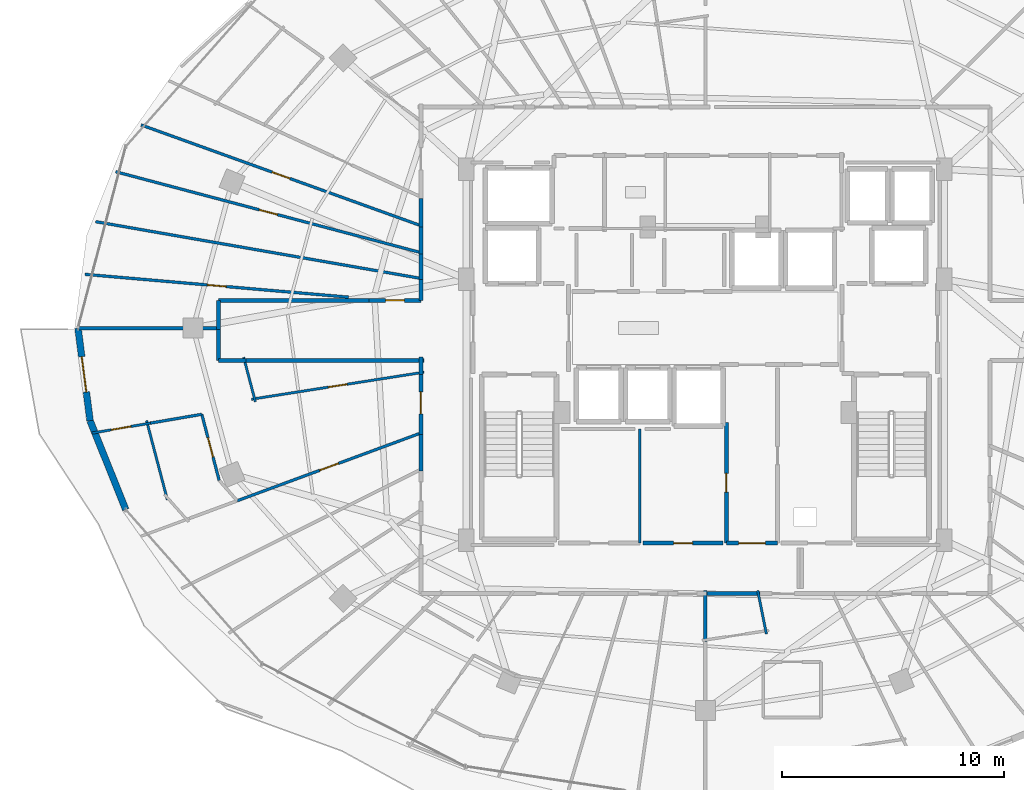
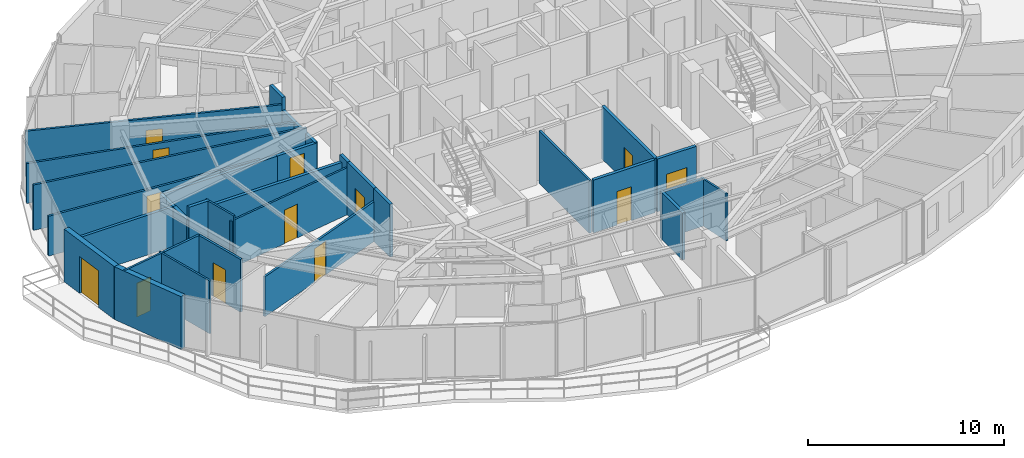
# One storey, part 25 of 33: 34 walls, 13 doors, 13 openings.
"""IFC4 building model written with IfcOpenShell, lengths in metres."""

from ifc_helpers import new_model, si_unit, direction, frame, frame_2d, origin, place, context, subcontext, project, spatial, rectangle, extrude, material, layer, layer_set, type_object, element, fill, save


model = new_model("IFC4")

# Units and contexts
model_context = context("Model", 3, precision=1e-05, world=origin(), true_north=direction((0.0, 1.0)))
body_context = subcontext(model_context, "Body", "Model", "MODEL_VIEW")
ifc_project = project(units=[si_unit("LENGTHUNIT", "METRE"), si_unit("AREAUNIT", "SQUARE_METRE"), si_unit("VOLUMEUNIT", "CUBIC_METRE"), si_unit("PLANEANGLEUNIT", "RADIAN"), si_unit("MASSUNIT", "GRAM", prefix="KILO")], contexts=[model_context])

# Site, building, storey
site_placement = place(None, origin())
site = spatial("IfcSite", under=ifc_project, at=site_placement, CompositionType="ELEMENT")
building_placement = place(site_placement, origin())
building = spatial("IfcBuilding", under=site, at=building_placement, Name="Vorneva Point Tower", CompositionType="ELEMENT")
storey_placement = place(building_placement, frame((0.0, 0.0, 203.64990234375)))
storey = spatial("IfcBuildingStorey", under=building, at=storey_placement, Name="L55", CompositionType="ELEMENT", Elevation=203.64990234375)

# Wall, opening, door
ifc_material_1 = material(Name="Precast concrete B50 (C40/50)", Category="concrete")
ifc_layer_1 = layer(ifc_material_1, 0.300048828125)
ifc_layer_set_1 = layer_set([ifc_layer_1], Name="Precast concrete B50 (C40/50)")
wall_type_1 = type_object("IfcWallType", Name="WL-EXT-300", PredefinedType="STANDARD", material=ifc_layer_set_1)
wall_1_placement = place(storey_placement, frame((9.77001953125, 26.0, 0.0), z_axis=(0.0, 0.0, 1.0), x_axis=(0.129147853268, -0.991625348605, 0.0)))
wall_1 = element("IfcWall", 1, at=wall_1_placement, inside=storey, type_object=wall_type_1, Name="L55 Pale-Metal Facade Spandrel Wall 09.1", PredefinedType="STANDARD", context=body_context, shape_type="SweptSolid", body=[
    extrude(rectangle(XDim=4.200439453125, YDim=0.300048828125, at=frame_2d((2.10009765625, 0.0))), origin(), (0.0, 0.0, 1.0), 3.2900390625),
])
opening_1_placement = place(wall_1_placement, frame((1.30029296875, 0.0, 0.0)))
opening_1 = element("IfcOpeningElement", 2, at=opening_1_placement, cuts=wall_1, Name="Opening BD-01", PredefinedType="OPENING", context=body_context, shape_type="SweptSolid", body=[
    extrude(rectangle(XDim=1.60009765625, YDim=2.300048828125, at=frame_2d((0.800048828125, 1.14990234375))), frame((0.0, 0.1650390625, 0.0), z_axis=(0.0, -1.0, 0.0), x_axis=(1.0, 0.0, 0.0)), (0.0, 0.0, 1.0), 0.329833984375),
])
ifc_material_2 = material(Name="Pale anodised aluminium", Category="aluminium")
door_type_1 = type_object("IfcDoorType", Name="DR-BAL-1600", OperationType="SLIDING_TO_LEFT", PredefinedType="DOOR", material=ifc_material_2)
door_1_placement = place(opening_1_placement, origin())
door_1 = element("IfcDoor", 3, at=door_1_placement, inside=storey, type_object=door_type_1, Name="L55 Balcony Terrace Access Door 09", OperationType="SLIDING_TO_LEFT", OverallHeight=2.300048828125, OverallWidth=1.60009765625, PredefinedType="DOOR", context=body_context, shape_type="SweptSolid", body=[
    extrude(rectangle(XDim=1.60009765625, YDim=2.300048828125, at=frame_2d((0.800048828125, 1.14990234375))), frame((0.0, 0.02490234375, 0.0), z_axis=(0.0, -1.0, 0.0), x_axis=(1.0, 0.0, 0.0)), (0.0, 0.0, 1.0), 0.050048828125),
])
fill(opening_1, door_1)

# Wall
wall_2_placement = place(storey_placement, frame((10.3125, 21.834716796875, 0.0), z_axis=(0.0, 0.0, 1.0), x_axis=(0.372268409848, -0.928125116043, 0.0)))
element("IfcWall", 4, at=wall_2_placement, inside=storey, type_object=wall_type_1, Name="L55 Pale-Metal Facade Spandrel Wall 09.2", PredefinedType="STANDARD", context=body_context, shape_type="SweptSolid", body=[
    extrude(rectangle(XDim=4.315185546875, YDim=0.300048828125, at=frame_2d((2.15771484375, 0.0))), origin(), (0.0, 0.0, 1.0), 3.2900390625),
])

# Wall, opening, door
ifc_material_3 = material(Name="Fire-rated acoustic gypsum stud partition", Category="gypsum")
ifc_layer_2 = layer(ifc_material_3, 0.110107421875)
ifc_layer_set_2 = layer_set([ifc_layer_2], Name="Fire-rated acoustic gypsum stud partition")
wall_type_2 = type_object("IfcWallType", Name="WL-PART-110", PredefinedType="PARTITIONING", material=ifc_layer_set_2)
wall_3_placement = place(storey_placement, frame((25.33837890625, 24.0146484375, 0.0), z_axis=(0.0, 0.0, 1.0), x_axis=(-0.987940229144, -0.154835731144, 0.0)))
wall_3 = element("IfcWall", 5, at=wall_3_placement, inside=storey, type_object=wall_type_2, Name="L55 Interior Partition 102", PredefinedType="PARTITIONING", context=body_context, shape_type="SweptSolid", body=[
    extrude(rectangle(XDim=7.85546875, YDim=0.110107421875, at=frame_2d((3.927734375, 0.0))), origin(), (0.0, 0.0, 1.0), 2.93603515625),
])
opening_2_placement = place(wall_3_placement, frame((3.502685546875, 0.0, 0.0)))
opening_2 = element("IfcOpeningElement", 6, at=opening_2_placement, cuts=wall_3, Name="Opening ID-02", PredefinedType="OPENING", context=body_context, shape_type="SweptSolid", body=[
    extrude(rectangle(XDim=0.85009765625, YDim=2.10009765625, at=frame_2d((0.425048828125, 1.050048828125))), frame((0.0, 0.06982421875, 0.0), z_axis=(0.0, -1.0, 0.0), x_axis=(1.0, 0.0, 0.0)), (0.0, 0.0, 1.0), 0.139892578125),
])
ifc_material_4 = material(Name="Engineered oak fire-rated door leaf", Category="wood")
door_type_2 = type_object("IfcDoorType", Name="DR-BATH-850", OperationType="NOTDEFINED", PredefinedType="DOOR", material=ifc_material_4)
door_2_placement = place(opening_2_placement, origin())
door_2 = element("IfcDoor", 7, at=door_2_placement, inside=storey, type_object=door_type_2, Name="L55 Door Living and Dining Room L55-03 / Bathroom L55-03", OperationType="SINGLE_SWING_RIGHT", OverallHeight=2.10009765625, OverallWidth=0.85009765625, PredefinedType="DOOR", context=body_context, shape_type="SweptSolid", body=[
    extrude(rectangle(XDim=0.85009765625, YDim=2.10009765625, at=frame_2d((0.425048828125, 1.050048828125))), frame((0.0, 0.02490234375, 0.0), z_axis=(0.0, -1.0, 0.0), x_axis=(1.0, 0.0, 0.0)), (0.0, 0.0, 1.0), 0.050048828125),
])
fill(opening_2, door_2)

# Wall
wall_4_placement = place(storey_placement, frame((17.751708984375, 22.6845703125, 0.0), z_axis=(0.0, 0.0, 1.0), x_axis=(-0.254429402158, 0.967091350038, 0.0)))
element("IfcWall", 8, at=wall_4_placement, inside=storey, type_object=wall_type_2, Name="L55 Interior Partition 103", PredefinedType="PARTITIONING", context=body_context, shape_type="SweptSolid", body=[
    extrude(rectangle(XDim=2.06884765625, YDim=0.110107421875, at=frame_2d((1.034423828125, 0.0))), origin(), (0.0, 0.0, 1.0), 3.2900390625),
])

# Wall, opening, door
wall_5_placement = place(storey_placement, frame((10.39404296875, 21.271484375, 0.0), z_axis=(0.0, 0.0, 1.0), x_axis=(0.985656128296, 0.168766100722, 0.0)))
wall_5 = element("IfcWall", 9, at=wall_5_placement, inside=storey, type_object=wall_type_2, Name="L55 Interior Partition 104", PredefinedType="PARTITIONING", context=body_context, shape_type="SweptSolid", body=[
    extrude(rectangle(XDim=2.67333984375, YDim=0.110107421875, at=frame_2d((1.336669921875, 0.0))), origin(), (0.0, 0.0, 1.0), 3.2900390625),
])
opening_3_placement = place(wall_5_placement, frame((0.88671875, 0.0, 0.0)))
opening_3 = element("IfcOpeningElement", 10, at=opening_3_placement, cuts=wall_5, Name="Opening ID-01", PredefinedType="OPENING", context=body_context, shape_type="SweptSolid", body=[
    extrude(rectangle(XDim=0.89990234375, YDim=2.10009765625, at=frame_2d((0.449951171875, 1.050048828125))), frame((0.0, 0.06982421875, 0.0), z_axis=(0.0, -1.0, 0.0), x_axis=(1.0, 0.0, 0.0)), (0.0, 0.0, 1.0), 0.139892578125),
])
door_type_3 = type_object("IfcDoorType", Name="DR-ROOM-900", OperationType="NOTDEFINED", PredefinedType="DOOR", material=ifc_material_4)
door_3_placement = place(opening_3_placement, origin())
door_3 = element("IfcDoor", 11, at=door_3_placement, inside=storey, type_object=door_type_3, Name="L55 Door Living and Dining Room L55-03 / Kitchen L55-03", OperationType="SINGLE_SWING_LEFT", OverallHeight=2.10009765625, OverallWidth=0.89990234375, PredefinedType="DOOR", context=body_context, shape_type="SweptSolid", body=[
    extrude(rectangle(XDim=0.89990234375, YDim=2.10009765625, at=frame_2d((0.449951171875, 1.050048828125))), frame((0.0, 0.02490234375, 0.0), z_axis=(0.0, -1.0, 0.0), x_axis=(1.0, 0.0, 0.0)), (0.0, 0.0, 1.0), 0.050048828125),
])
fill(opening_3, door_3)

# Walls
wall_6_placement = place(storey_placement, frame((13.79248046875, 18.2705078125, 0.0), z_axis=(0.0, 0.0, 1.0), x_axis=(-0.254271540361, 0.967132867688, 0.0)))
element("IfcWall", 12, at=wall_6_placement, inside=storey, type_object=wall_type_2, Name="L55 Interior Partition 110", PredefinedType="PARTITIONING", context=body_context, shape_type="SweptSolid", body=[
    extrude(rectangle(XDim=3.68505859375, YDim=0.110107421875, at=frame_2d((1.842529296875, 0.0))), origin(), (0.0, 0.0, 1.0), 3.2900390625),
])
wall_7_placement = place(storey_placement, frame((40.357666015625, 14.187255859375, 0.0), z_axis=(0.0, 0.0, 1.0), x_axis=(0.195313900905, -0.980740781304, 0.0)))
element("IfcWall", 13, at=wall_7_placement, inside=storey, type_object=wall_type_2, Name="L55 Interior Partition 134", PredefinedType="PARTITIONING", context=body_context, shape_type="SweptSolid", body=[
    extrude(rectangle(XDim=1.989990234375, YDim=0.110107421875, at=frame_2d((0.9951171875, 0.0))), origin(), (0.0, 0.0, 1.0), 2.93603515625),
])
ifc_layer_3 = layer(ifc_material_3, 0.125)
ifc_layer_set_3 = layer_set([ifc_layer_3], Name="Fire-rated acoustic gypsum stud partition")
wall_type_3 = type_object("IfcWallType", Name="WL-PART-125", PredefinedType="PARTITIONING", material=ifc_layer_set_3)
wall_8_placement = place(storey_placement, frame((35.050048828125, 16.320068359375, 0.0), z_axis=(0.0, 0.0, 1.0), x_axis=(0.0, 1.0, 0.0)))
element("IfcWall", 14, at=wall_8_placement, inside=storey, type_object=wall_type_3, Name="L55 Interior Partition 026", PredefinedType="PARTITIONING", context=body_context, shape_type="SweptSolid", body=[
    extrude(rectangle(XDim=5.1298828125, YDim=0.125, at=frame_2d((2.56494140625, 0.0))), origin(), (0.0, 0.0, 1.0), 3.2900390625),
])

# Wall, opening, door
wall_9_placement = place(storey_placement, frame((12.60888671875, 35.14111328125, 0.0), z_axis=(0.0, 0.0, 1.0), x_axis=(0.940877411069, -0.338747246985, 0.0)))
wall_9 = element("IfcWall", 15, at=wall_9_placement, inside=storey, type_object=wall_type_3, Name="L55 Interior Partition 097", PredefinedType="PARTITIONING", context=body_context, shape_type="SweptSolid", body=[
    extrude(rectangle(XDim=13.38232421875, YDim=0.125, at=frame_2d((6.691162109375, 0.0))), origin(), (0.0, 0.0, 1.0), 2.82421875),
])
opening_4_placement = place(wall_9_placement, frame((6.26611328125, 0.0, 0.0)))
opening_4 = element("IfcOpeningElement", 16, at=opening_4_placement, cuts=wall_9, Name="Opening ID-02", PredefinedType="OPENING", context=body_context, shape_type="SweptSolid", body=[
    extrude(rectangle(XDim=0.85009765625, YDim=2.10009765625, at=frame_2d((0.425048828125, 1.050048828125))), frame((0.0, 0.077392578125, 0.0), z_axis=(0.0, -1.0, 0.0), x_axis=(1.0, 0.0, 0.0)), (0.0, 0.0, 1.0), 0.15478515625),
])
door_4_placement = place(opening_4_placement, origin())
door_4 = element("IfcDoor", 17, at=door_4_placement, inside=storey, type_object=door_type_2, Name="L55 Access Door Master Bedroom L55-02.1", OperationType="SINGLE_SWING_RIGHT", OverallHeight=2.10009765625, OverallWidth=0.85009765625, PredefinedType="DOOR", context=body_context, shape_type="SweptSolid", body=[
    extrude(rectangle(XDim=0.85009765625, YDim=2.10009765625, at=frame_2d((0.425048828125, 1.050048828125))), frame((0.0, 0.02490234375, 0.0), z_axis=(0.0, -1.0, 0.0), x_axis=(1.0, 0.0, 0.0)), (0.0, 0.0, 1.0), 0.050048828125),
])
fill(opening_4, door_4)

wall_10_placement = place(storey_placement, frame((11.465087890625, 33.035888671875, 0.0), z_axis=(0.0, 0.0, 1.0), x_axis=(0.966598137313, -0.256296782934, 0.0)))
wall_10 = element("IfcWall", 18, at=wall_10_placement, inside=storey, type_object=wall_type_3, Name="L55 Interior Partition 098", PredefinedType="PARTITIONING", context=body_context, shape_type="SweptSolid", body=[
    extrude(rectangle(XDim=14.20947265625, YDim=0.125, at=frame_2d((7.104736328125, 0.0))), origin(), (0.0, 0.0, 1.0), 2.482177734375),
])
opening_5_placement = place(wall_10_placement, frame((6.6796875, 0.0, 0.0)))
opening_5 = element("IfcOpeningElement", 19, at=opening_5_placement, cuts=wall_10, Name="Opening ID-02", PredefinedType="OPENING", context=body_context, shape_type="SweptSolid", body=[
    extrude(rectangle(XDim=0.85009765625, YDim=2.10009765625, at=frame_2d((0.425048828125, 1.050048828125))), frame((0.0, 0.077392578125, 0.0), z_axis=(0.0, -1.0, 0.0), x_axis=(1.0, 0.0, 0.0)), (0.0, 0.0, 1.0), 0.15478515625),
])
door_5_placement = place(opening_5_placement, origin())
door_5 = element("IfcDoor", 20, at=door_5_placement, inside=storey, type_object=door_type_2, Name="L55 Access Door Bedroom L55-02.2", OperationType="SINGLE_SWING_LEFT", OverallHeight=2.10009765625, OverallWidth=0.85009765625, PredefinedType="DOOR", context=body_context, shape_type="SweptSolid", body=[
    extrude(rectangle(XDim=0.85009765625, YDim=2.10009765625, at=frame_2d((0.425048828125, 1.050048828125))), frame((0.0, 0.02490234375, 0.0), z_axis=(0.0, -1.0, 0.0), x_axis=(1.0, 0.0, 0.0)), (0.0, 0.0, 1.0), 0.050048828125),
])
fill(opening_5, door_5)

# Wall
wall_11_placement = place(storey_placement, frame((10.56494140625, 30.7880859375, 0.0), z_axis=(0.0, 0.0, 1.0), x_axis=(0.985109541297, -0.171927867563, 0.0)))
element("IfcWall", 21, at=wall_11_placement, inside=storey, type_object=wall_type_3, Name="L55 Interior Partition 099", PredefinedType="PARTITIONING", context=body_context, shape_type="SweptSolid", body=[
    extrude(rectangle(XDim=14.856201171875, YDim=0.125, at=frame_2d((7.42822265625, 0.0))), origin(), (0.0, 0.0, 1.0), 2.82421875),
])

# Wall, opening, door
wall_12_placement = place(storey_placement, frame((10.0859375, 28.41796875, 0.0), z_axis=(0.0, 0.0, 1.0), x_axis=(0.996267232338, -0.08632266081, 0.0)))
wall_12 = element("IfcWall", 22, at=wall_12_placement, inside=storey, type_object=wall_type_3, Name="L55 Interior Partition 100", PredefinedType="PARTITIONING", context=body_context, shape_type="SweptSolid", body=[
    extrude(rectangle(XDim=11.90966796875, YDim=0.125, at=frame_2d((5.954833984375, 0.0))), origin(), (0.0, 0.0, 1.0), 2.482177734375),
])
opening_6_placement = place(wall_12_placement, frame((5.52978515625, 0.0, 0.0)))
opening_6 = element("IfcOpeningElement", 23, at=opening_6_placement, cuts=wall_12, Name="Opening ID-02", PredefinedType="OPENING", context=body_context, shape_type="SweptSolid", body=[
    extrude(rectangle(XDim=0.85009765625, YDim=2.10009765625, at=frame_2d((0.425048828125, 1.050048828125))), frame((0.0, 0.077392578125, 0.0), z_axis=(0.0, -1.0, 0.0), x_axis=(1.0, 0.0, 0.0)), (0.0, 0.0, 1.0), 0.15478515625),
])
door_6_placement = place(opening_6_placement, origin())
door_6 = element("IfcDoor", 24, at=door_6_placement, inside=storey, type_object=door_type_2, Name="L55 Access Door Bedroom L55-02.4", OperationType="SINGLE_SWING_RIGHT", OverallHeight=2.10009765625, OverallWidth=0.85009765625, PredefinedType="DOOR", context=body_context, shape_type="SweptSolid", body=[
    extrude(rectangle(XDim=0.85009765625, YDim=2.10009765625, at=frame_2d((0.425048828125, 1.050048828125))), frame((0.0, 0.02490234375, 0.0), z_axis=(0.0, -1.0, 0.0), x_axis=(1.0, 0.0, 0.0)), (0.0, 0.0, 1.0), 0.050048828125),
])
fill(opening_6, door_6)

wall_13_placement = place(storey_placement, frame((15.341064453125, 22.118896484375, 0.0), z_axis=(0.0, 0.0, 1.0), x_axis=(0.254462015144, -0.967082769389, 0.0)))
wall_13 = element("IfcWall", 25, at=wall_13_placement, inside=storey, type_object=wall_type_3, Name="L55 Interior Partition 105", PredefinedType="PARTITIONING", context=body_context, shape_type="SweptSolid", body=[
    extrude(rectangle(XDim=3.072998046875, YDim=0.125, at=frame_2d((1.53662109375, 0.0))), origin(), (0.0, 0.0, 1.0), 3.2900390625),
])
opening_7_placement = place(wall_13_placement, frame((1.086669921875, 0.0, 0.0)))
opening_7 = element("IfcOpeningElement", 26, at=opening_7_placement, cuts=wall_13, Name="Opening ID-01", PredefinedType="OPENING", context=body_context, shape_type="SweptSolid", body=[
    extrude(rectangle(XDim=0.89990234375, YDim=2.10009765625, at=frame_2d((0.449951171875, 1.050048828125))), frame((0.0, 0.077392578125, 0.0), z_axis=(0.0, -1.0, 0.0), x_axis=(1.0, 0.0, 0.0)), (0.0, 0.0, 1.0), 0.15478515625),
])
door_7_placement = place(opening_7_placement, origin())
door_7 = element("IfcDoor", 27, at=door_7_placement, inside=storey, type_object=door_type_3, Name="L55 Door Living and Dining Room L55-03 / Study Room L55-03", OperationType="SINGLE_SWING_LEFT", OverallHeight=2.10009765625, OverallWidth=0.89990234375, PredefinedType="DOOR", context=body_context, shape_type="SweptSolid", body=[
    extrude(rectangle(XDim=0.89990234375, YDim=2.10009765625, at=frame_2d((0.449951171875, 1.050048828125))), frame((0.0, 0.02490234375, 0.0), z_axis=(0.0, -1.0, 0.0), x_axis=(1.0, 0.0, 0.0)), (0.0, 0.0, 1.0), 0.050048828125),
])
fill(opening_7, door_7)

# Wall
wall_14_placement = place(storey_placement, frame((13.029052734375, 21.72265625, 0.0), z_axis=(0.0, 0.0, 1.0), x_axis=(0.985629682191, 0.16892048302, 0.0)))
element("IfcWall", 28, at=wall_14_placement, inside=storey, type_object=wall_type_3, Name="L55 Interior Partition 107", PredefinedType="PARTITIONING", context=body_context, shape_type="SweptSolid", body=[
    extrude(rectangle(XDim=2.345703125, YDim=0.125, at=frame_2d((1.1728515625, 0.0))), origin(), (0.0, 0.0, 1.0), 3.2900390625),
])

# Wall, opening, door
wall_15_placement = place(storey_placement, frame((16.93408203125, 18.22802734375, 0.0), z_axis=(0.0, 0.0, 1.0), x_axis=(0.938168899516, 0.34617786755, 0.0)))
wall_15 = element("IfcWall", 29, at=wall_15_placement, inside=storey, type_object=wall_type_3, Name="L55 Interior Partition 108", PredefinedType="PARTITIONING", context=body_context, shape_type="SweptSolid", body=[
    extrude(rectangle(XDim=8.810546875, YDim=0.125, at=frame_2d((4.4052734375, 0.0))), origin(), (0.0, 0.0, 1.0), 2.482177734375),
])
opening_8_placement = place(wall_15_placement, frame((3.955322265625, 0.0, 0.0)))
opening_8 = element("IfcOpeningElement", 30, at=opening_8_placement, cuts=wall_15, Name="Opening ID-01", PredefinedType="OPENING", context=body_context, shape_type="SweptSolid", body=[
    extrude(rectangle(XDim=0.89990234375, YDim=2.10009765625, at=frame_2d((0.449951171875, 1.050048828125))), frame((0.0, 0.077392578125, 0.0), z_axis=(0.0, -1.0, 0.0), x_axis=(1.0, 0.0, 0.0)), (0.0, 0.0, 1.0), 0.15478515625),
])
door_8_placement = place(opening_8_placement, origin())
door_8 = element("IfcDoor", 31, at=door_8_placement, inside=storey, type_object=door_type_3, Name="L55 Door Living and Dining Room L55-03 / Master Bedroom L55-03.1", OperationType="SINGLE_SWING_LEFT", OverallHeight=2.10009765625, OverallWidth=0.89990234375, PredefinedType="DOOR", context=body_context, shape_type="SweptSolid", body=[
    extrude(rectangle(XDim=0.89990234375, YDim=2.10009765625, at=frame_2d((0.449951171875, 1.050048828125))), frame((0.0, 0.02490234375, 0.0), z_axis=(0.0, -1.0, 0.0), x_axis=(1.0, 0.0, 0.0)), (0.0, 0.0, 1.0), 0.050048828125),
])
fill(opening_8, door_8)

# Walls
ifc_layer_4 = layer(ifc_material_3, 0.159912109375)
ifc_layer_set_4 = layer_set([ifc_layer_4], Name="Fire-rated acoustic gypsum stud partition")
wall_type_4 = type_object("IfcWallType", Name="WL-PART-160", PredefinedType="PARTITIONING", material=ifc_layer_set_4)
wall_16_placement = place(storey_placement, frame((9.77099609375, 26.0, 0.0), z_axis=(0.0, 0.0, 1.0), x_axis=(1.0, 0.0, 0.0)))
element("IfcWall", 32, at=wall_16_placement, inside=storey, type_object=wall_type_4, Name="L55 Interior Partition 101", PredefinedType="PARTITIONING", context=body_context, shape_type="SweptSolid", body=[
    extrude(rectangle(XDim=6.3291015625, YDim=0.159912109375, at=frame_2d((3.16455078125, 0.0))), origin(), (0.0, 0.0, 1.0), 2.482177734375),
])
wall_17_placement = place(storey_placement, frame((38.0, 11.885009765625, 0.0), z_axis=(0.0, 0.0, 1.0), x_axis=(0.0, 1.0, 0.0)))
element("IfcWall", 33, at=wall_17_placement, inside=storey, type_object=wall_type_4, Name="L55 Interior Partition 133", PredefinedType="PARTITIONING", context=body_context, shape_type="SweptSolid", body=[
    extrude(rectangle(XDim=2.304931640625, YDim=0.159912109375, at=frame_2d((1.15234375, 0.0))), origin(), (0.0, 0.0, 1.0), 2.93603515625),
])

# Wall, opening, door
ifc_material_5 = material(Name="Autoclaved aerated concrete blockwork", Category="masonry")
ifc_layer_5 = layer(ifc_material_5, 0.179931640625)
ifc_layer_set_5 = layer_set([ifc_layer_5], Name="Autoclaved aerated concrete blockwork")
wall_type_5 = type_object("IfcWallType", Name="WL-PART-180", PredefinedType="PARTITIONING", material=ifc_layer_set_5)
wall_18_placement = place(storey_placement, frame((38.949951171875, 21.7548828125, 0.0), z_axis=(0.0, 0.0, 1.0), x_axis=(0.0, -1.0, 0.0)))
wall_18 = element("IfcWall", 34, at=wall_18_placement, inside=storey, type_object=wall_type_5, Name="L55 Interior Partition 015", PredefinedType="PARTITIONING", context=body_context, shape_type="SweptSolid", body=[
    extrude(rectangle(XDim=5.434814453125, YDim=0.179931640625, at=frame_2d((2.71728515625, 0.0))), origin(), (0.0, 0.0, 1.0), 3.2900390625),
])
opening_9_placement = place(wall_18_placement, frame((2.29248046875, 0.0, 0.0)))
opening_9 = element("IfcOpeningElement", 35, at=opening_9_placement, cuts=wall_18, Name="Opening ID-02", PredefinedType="OPENING", context=body_context, shape_type="SweptSolid", body=[
    extrude(rectangle(XDim=0.85009765625, YDim=2.10009765625, at=frame_2d((0.425048828125, 1.050048828125))), frame((0.0, 0.10498046875, 0.0), z_axis=(0.0, -1.0, 0.0), x_axis=(1.0, 0.0, 0.0)), (0.0, 0.0, 1.0), 0.209716796875),
])
door_9_placement = place(opening_9_placement, origin())
door_9 = element("IfcDoor", 36, at=door_9_placement, inside=storey, type_object=door_type_2, Name="L55 Door Core Service Lobby / Tenant Equipment Store", OperationType="SINGLE_SWING_LEFT", OverallHeight=2.10009765625, OverallWidth=0.85009765625, PredefinedType="DOOR", context=body_context, shape_type="SweptSolid", body=[
    extrude(rectangle(XDim=0.85009765625, YDim=2.10009765625, at=frame_2d((0.425048828125, 1.050048828125))), frame((0.0, 0.02490234375, 0.0), z_axis=(0.0, -1.0, 0.0), x_axis=(1.0, 0.0, 0.0)), (0.0, 0.0, 1.0), 0.050048828125),
])
fill(opening_9, door_9)

wall_19_placement = place(storey_placement, frame((38.949951171875, 16.320068359375, 0.0), z_axis=(0.0, 0.0, 1.0), x_axis=(1.0, 0.0, 0.0)))
wall_19 = element("IfcWall", 37, at=wall_19_placement, inside=storey, type_object=wall_type_5, Name="L55 Interior Partition 016", PredefinedType="PARTITIONING", context=body_context, shape_type="SweptSolid", body=[
    extrude(rectangle(XDim=2.300048828125, YDim=0.179931640625, at=frame_2d((1.14990234375, 0.0))), origin(), (0.0, 0.0, 1.0), 3.2900390625),
])
opening_10_placement = place(wall_19_placement, frame((0.550048828125, 0.0, 0.0)))
opening_10 = element("IfcOpeningElement", 38, at=opening_10_placement, cuts=wall_19, Name="Opening FD-02", PredefinedType="OPENING", context=body_context, shape_type="SweptSolid", body=[
    extrude(rectangle(XDim=1.199951171875, YDim=2.14990234375, at=frame_2d((0.60009765625, 1.074951171875))), frame((0.0, 0.10498046875, 0.0), z_axis=(0.0, -1.0, 0.0), x_axis=(1.0, 0.0, 0.0)), (0.0, 0.0, 1.0), 0.209716796875),
])
ifc_material_6 = material(Name="Fire-rated powder-coated steel", Category="steel")
door_type_4 = type_object("IfcDoorType", Name="DR-FFL-1200", OperationType="NOTDEFINED", PredefinedType="DOOR", material=ifc_material_6)
door_10_placement = place(opening_10_placement, origin())
door_10 = element("IfcDoor", 39, at=door_10_placement, inside=storey, type_object=door_type_4, Name="L55 Door Core Service Lobby / L55 Circulation Corridor", OperationType="SINGLE_SWING_RIGHT", OverallHeight=2.14990234375, OverallWidth=1.199951171875, PredefinedType="DOOR", context=body_context, shape_type="SweptSolid", body=[
    extrude(rectangle(XDim=1.199951171875, YDim=2.14990234375, at=frame_2d((0.60009765625, 1.074951171875))), frame((0.0, 0.02490234375, 0.0), z_axis=(0.0, -1.0, 0.0), x_axis=(1.0, 0.0, 0.0)), (0.0, 0.0, 1.0), 0.050048828125),
])
fill(opening_10, door_10)

wall_20_placement = place(storey_placement, frame((35.199951171875, 16.320068359375, 0.0), z_axis=(0.0, 0.0, 1.0), x_axis=(1.0, 0.0, 0.0)))
wall_20 = element("IfcWall", 40, at=wall_20_placement, inside=storey, type_object=wall_type_5, Name="L55 Interior Partition 028", PredefinedType="PARTITIONING", context=body_context, shape_type="SweptSolid", body=[
    extrude(rectangle(XDim=3.60009765625, YDim=0.179931640625, at=frame_2d((1.800048828125, 0.0))), origin(), (0.0, 0.0, 1.0), 3.2900390625),
])
opening_11_placement = place(wall_20_placement, frame((1.375, 0.0, 0.0)))
opening_11 = element("IfcOpeningElement", 41, at=opening_11_placement, cuts=wall_20, Name="Opening ID-02", PredefinedType="OPENING", context=body_context, shape_type="SweptSolid", body=[
    extrude(rectangle(XDim=0.85009765625, YDim=2.10009765625, at=frame_2d((0.425048828125, 1.050048828125))), frame((0.0, 0.10498046875, 0.0), z_axis=(0.0, -1.0, 0.0), x_axis=(1.0, 0.0, 0.0)), (0.0, 0.0, 1.0), 0.209716796875),
])
door_11_placement = place(opening_11_placement, origin())
door_11 = element("IfcDoor", 42, at=door_11_placement, inside=storey, type_object=door_type_2, Name="L55 Door Tenant Equipment Store / L55 Circulation Corridor", OperationType="SINGLE_SWING_RIGHT", OverallHeight=2.10009765625, OverallWidth=0.85009765625, PredefinedType="DOOR", context=body_context, shape_type="SweptSolid", body=[
    extrude(rectangle(XDim=0.85009765625, YDim=2.10009765625, at=frame_2d((0.425048828125, 1.050048828125))), frame((0.0, 0.02490234375, 0.0), z_axis=(0.0, -1.0, 0.0), x_axis=(1.0, 0.0, 0.0)), (0.0, 0.0, 1.0), 0.050048828125),
])
fill(opening_11, door_11)

# Walls
wall_21_placement = place(storey_placement, frame((25.199951171875, 31.841064453125, 0.0), z_axis=(0.0, 0.0, 1.0), x_axis=(0.0, -1.0, 0.0)))
element("IfcWall", 43, at=wall_21_placement, inside=storey, type_object=wall_type_5, Name="L55 Interior Partition 038", PredefinedType="PARTITIONING", context=body_context, shape_type="SweptSolid", body=[
    extrude(rectangle(XDim=1.29296875, YDim=0.179931640625, at=frame_2d((0.646484375, 0.0))), origin(), (0.0, 0.0, 1.0), 3.2900390625),
])
wall_22_placement = place(storey_placement, frame((25.199951171875, 30.548095703125, 0.0), z_axis=(0.0, 0.0, 1.0), x_axis=(0.0, -1.0, 0.0)))
element("IfcWall", 44, at=wall_22_placement, inside=storey, type_object=wall_type_5, Name="L55 Interior Partition 039", PredefinedType="PARTITIONING", context=body_context, shape_type="SweptSolid", body=[
    extrude(rectangle(XDim=1.214111328125, YDim=0.179931640625, at=frame_2d((0.60693359375, 0.0))), origin(), (0.0, 0.0, 1.0), 2.482177734375),
])
wall_23_placement = place(storey_placement, frame((25.199951171875, 29.333984375, 0.0), z_axis=(0.0, 0.0, 1.0), x_axis=(0.0, -1.0, 0.0)))
element("IfcWall", 45, at=wall_23_placement, inside=storey, type_object=wall_type_5, Name="L55 Interior Partition 040", PredefinedType="PARTITIONING", context=body_context, shape_type="SweptSolid", body=[
    extrude(rectangle(XDim=1.159912109375, YDim=0.179931640625, at=frame_2d((0.580078125, 0.0))), origin(), (0.0, 0.0, 1.0), 2.482177734375),
])
wall_24_placement = place(storey_placement, frame((25.199951171875, 28.174072265625, 0.0), z_axis=(0.0, 0.0, 1.0), x_axis=(0.0, -1.0, 0.0)))
element("IfcWall", 46, at=wall_24_placement, inside=storey, type_object=wall_type_5, Name="L55 Interior Partition 041", PredefinedType="PARTITIONING", context=body_context, shape_type="SweptSolid", body=[
    extrude(rectangle(XDim=0.924072265625, YDim=0.179931640625, at=frame_2d((0.4619140625, 0.0))), origin(), (0.0, 0.0, 1.0), 2.482177734375),
])

# Wall, opening, door
wall_25_placement = place(storey_placement, frame((25.199951171875, 27.25, 0.0), z_axis=(0.0, 0.0, 1.0), x_axis=(-1.0, 0.0, 0.0)))
wall_25 = element("IfcWall", 47, at=wall_25_placement, inside=storey, type_object=wall_type_5, Name="L55 Interior Partition 042", PredefinedType="PARTITIONING", context=body_context, shape_type="SweptSolid", body=[
    extrude(rectangle(XDim=2.327880859375, YDim=0.179931640625, at=frame_2d((1.1640625, 0.0))), origin(), (0.0, 0.0, 1.0), 2.482177734375),
])
opening_12_placement = place(wall_25_placement, frame((0.739013671875, 0.0, 0.0)))
opening_12 = element("IfcOpeningElement", 48, at=opening_12_placement, cuts=wall_25, Name="Opening ID-02", PredefinedType="OPENING", context=body_context, shape_type="SweptSolid", body=[
    extrude(rectangle(XDim=0.85009765625, YDim=2.10009765625, at=frame_2d((0.425048828125, 1.050048828125))), frame((0.0, 0.10498046875, 0.0), z_axis=(0.0, -1.0, 0.0), x_axis=(1.0, 0.0, 0.0)), (0.0, 0.0, 1.0), 0.209716796875),
])
door_12_placement = place(opening_12_placement, origin())
door_12 = element("IfcDoor", 49, at=door_12_placement, inside=storey, type_object=door_type_2, Name="L55 Access Door L55 Circulation Corridor", OperationType="SINGLE_SWING_RIGHT", OverallHeight=2.10009765625, OverallWidth=0.85009765625, PredefinedType="DOOR", context=body_context, shape_type="SweptSolid", body=[
    extrude(rectangle(XDim=0.85009765625, YDim=2.10009765625, at=frame_2d((0.425048828125, 1.050048828125))), frame((0.0, 0.02490234375, 0.0), z_axis=(0.0, -1.0, 0.0), x_axis=(1.0, 0.0, 0.0)), (0.0, 0.0, 1.0), 0.050048828125),
])
fill(opening_12, door_12)

# Walls
wall_26_placement = place(storey_placement, frame((16.10009765625, 27.25, 0.0), z_axis=(0.0, 0.0, 1.0), x_axis=(0.0, -1.0, 0.0)))
element("IfcWall", 50, at=wall_26_placement, inside=storey, type_object=wall_type_5, Name="L55 Interior Partition 043", PredefinedType="PARTITIONING", context=body_context, shape_type="SweptSolid", body=[
    extrude(rectangle(XDim=1.31005859375, YDim=0.179931640625, at=frame_2d((0.655029296875, 0.0))), origin(), (0.0, 0.0, 1.0), 2.482177734375),
])
wall_27_placement = place(storey_placement, frame((22.8720703125, 27.25, 0.0), z_axis=(0.0, 0.0, 1.0), x_axis=(-1.0, 0.0, 0.0)))
element("IfcWall", 51, at=wall_27_placement, inside=storey, type_object=wall_type_5, Name="L55 Interior Partition 044", PredefinedType="PARTITIONING", context=body_context, shape_type="SweptSolid", body=[
    extrude(rectangle(XDim=6.77197265625, YDim=0.179931640625, at=frame_2d((3.385986328125, 0.0))), origin(), (0.0, 0.0, 1.0), 2.482177734375),
])
wall_28_placement = place(storey_placement, frame((16.10009765625, 25.93994140625, 0.0), z_axis=(0.0, 0.0, 1.0), x_axis=(0.0, -1.0, 0.0)))
element("IfcWall", 52, at=wall_28_placement, inside=storey, type_object=wall_type_5, Name="L55 Interior Partition 045", PredefinedType="PARTITIONING", context=body_context, shape_type="SweptSolid", body=[
    extrude(rectangle(XDim=1.389892578125, YDim=0.179931640625, at=frame_2d((0.69482421875, 0.0))), origin(), (0.0, 0.0, 1.0), 2.482177734375),
])
wall_29_placement = place(storey_placement, frame((16.10009765625, 24.550048828125, 0.0), z_axis=(0.0, 0.0, 1.0), x_axis=(1.0, 0.0, 0.0)))
element("IfcWall", 53, at=wall_29_placement, inside=storey, type_object=wall_type_5, Name="L55 Interior Partition 046", PredefinedType="PARTITIONING", context=body_context, shape_type="SweptSolid", body=[
    extrude(rectangle(XDim=1.222900390625, YDim=0.179931640625, at=frame_2d((0.611328125, 0.0))), origin(), (0.0, 0.0, 1.0), 3.2900390625),
])

# Wall, opening, door
wall_30_placement = place(storey_placement, frame((25.199951171875, 24.052978515625, 0.0), z_axis=(0.0, 0.0, 1.0), x_axis=(0.0, -1.0, 0.0)))
wall_30 = element("IfcWall", 54, at=wall_30_placement, inside=storey, type_object=wall_type_5, Name="L55 Interior Partition 047", PredefinedType="PARTITIONING", context=body_context, shape_type="SweptSolid", body=[
    extrude(rectangle(XDim=2.8388671875, YDim=0.179931640625, at=frame_2d((1.41943359375, 0.0))), origin(), (0.0, 0.0, 1.0), 3.2900390625),
])
opening_13_placement = place(wall_30_placement, frame((0.91943359375, 0.0, 0.0)))
opening_13 = element("IfcOpeningElement", 55, at=opening_13_placement, cuts=wall_30, Name="Opening UD-01", PredefinedType="OPENING", context=body_context, shape_type="SweptSolid", body=[
    extrude(rectangle(XDim=1.0, YDim=2.14990234375, at=frame_2d((0.5, 1.074951171875))), frame((0.0, 0.10498046875, 0.0), z_axis=(0.0, -1.0, 0.0), x_axis=(1.0, 0.0, 0.0)), (0.0, 0.0, 1.0), 0.209716796875),
])
door_type_5 = type_object("IfcDoorType", Name="DR-UNIT-1000", OperationType="NOTDEFINED", PredefinedType="DOOR", material=ifc_material_4)
door_13_placement = place(opening_13_placement, origin())
door_13 = element("IfcDoor", 56, at=door_13_placement, inside=storey, type_object=door_type_5, Name="L55 Door L55 Circulation Corridor / Living and Dining Room L55-03", OperationType="SINGLE_SWING_LEFT", OverallHeight=2.14990234375, OverallWidth=1.0, PredefinedType="DOOR", context=body_context, shape_type="SweptSolid", body=[
    extrude(rectangle(XDim=1.0, YDim=2.14990234375, at=frame_2d((0.5, 1.074951171875))), frame((0.0, 0.02490234375, 0.0), z_axis=(0.0, -1.0, 0.0), x_axis=(1.0, 0.0, 0.0)), (0.0, 0.0, 1.0), 0.050048828125),
])
fill(opening_13, door_13)

# Walls
wall_31_placement = place(storey_placement, frame((17.18310546875, 24.550048828125, 0.0), z_axis=(0.0, 0.0, 1.0), x_axis=(1.0, 0.0, 0.0)))
element("IfcWall", 57, at=wall_31_placement, inside=storey, type_object=wall_type_5, Name="L55 Interior Partition 048", PredefinedType="PARTITIONING", context=body_context, shape_type="SweptSolid", body=[
    extrude(rectangle(XDim=8.156982421875, YDim=0.179931640625, at=frame_2d((4.07861328125, 0.0))), origin(), (0.0, 0.0, 1.0), 2.93603515625),
])
wall_32_placement = place(storey_placement, frame((25.199951171875, 24.68994140625, 0.0), z_axis=(0.0, 0.0, 1.0), x_axis=(0.0, -1.0, 0.0)))
element("IfcWall", 58, at=wall_32_placement, inside=storey, type_object=wall_type_5, Name="L55 Interior Partition 049", PredefinedType="PARTITIONING", context=body_context, shape_type="SweptSolid", body=[
    extrude(rectangle(XDim=0.77685546875, YDim=0.179931640625, at=frame_2d((0.388427734375, 0.0))), origin(), (0.0, 0.0, 1.0), 3.2900390625),
])
wall_33_placement = place(storey_placement, frame((25.199951171875, 21.214111328125, 0.0), z_axis=(0.0, 0.0, 1.0), x_axis=(0.0, -1.0, 0.0)))
element("IfcWall", 59, at=wall_33_placement, inside=storey, type_object=wall_type_5, Name="L55 Interior Partition 050", PredefinedType="PARTITIONING", context=body_context, shape_type="SweptSolid", body=[
    extrude(rectangle(XDim=1.64501953125, YDim=0.179931640625, at=frame_2d((0.822509765625, 0.0))), origin(), (0.0, 0.0, 1.0), 3.2900390625),
])
wall_34_placement = place(storey_placement, frame((37.919921875, 14.050048828125, 0.0), z_axis=(0.0, 0.0, 1.0), x_axis=(1.0, 0.0, 0.0)))
element("IfcWall", 60, at=wall_34_placement, inside=storey, type_object=wall_type_5, Name="L55 Interior Partition 061", PredefinedType="PARTITIONING", context=body_context, shape_type="SweptSolid", body=[
    extrude(rectangle(XDim=2.545166015625, YDim=0.179931640625, at=frame_2d((1.2724609375, 0.0))), origin(), (0.0, 0.0, 1.0), 2.93603515625),
])

save(model, "model.ifc")
